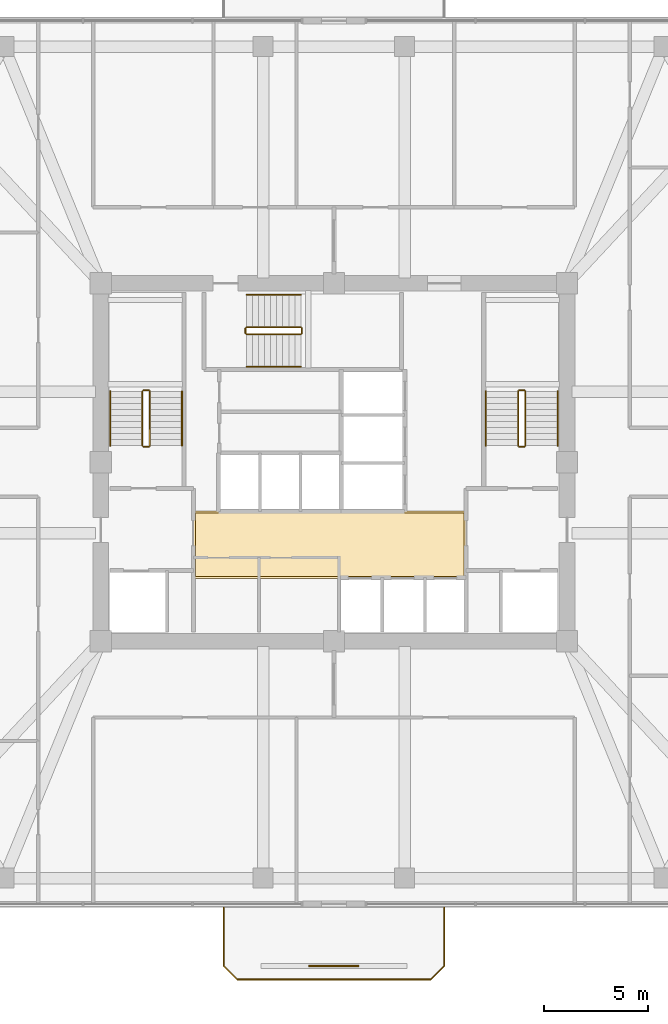
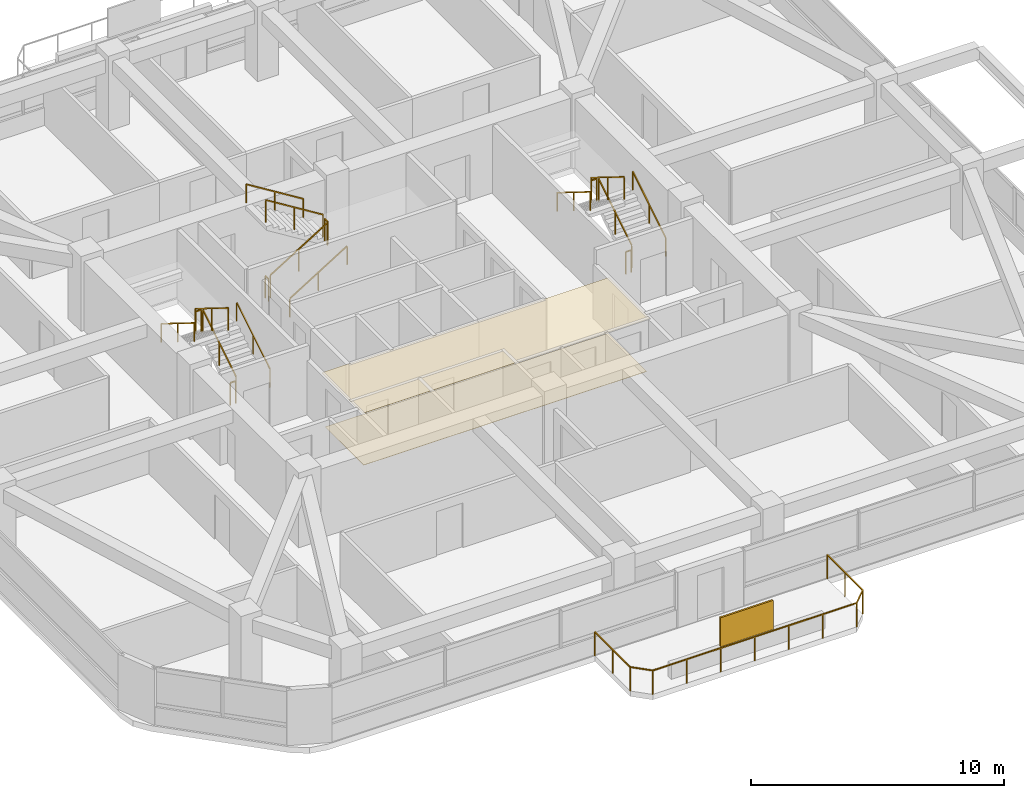
# One storey, part 10 of 11: 19 railings, 2 coverings, 1 shading device.
"""IFC4 building model written with IfcOpenShell, lengths in metres."""

from ifc_helpers import new_model, si_unit, derived_unit, direction, frame, origin, origin_2d, place, context, subcontext, project, spatial, polyline, rectangle, outline, extrude, material, layer, layer_set, type_object, element, save


model = new_model("IFC4")

# Units and contexts
model_context = context("Model", 3, precision=1e-05, world=origin(), true_north=direction((0.0, 1.0)))
body_context = subcontext(model_context, "Body", "Model", "MODEL_VIEW")
ifc_project = project(units=[si_unit("LENGTHUNIT", "METRE"), si_unit("AREAUNIT", "SQUARE_METRE"), si_unit("VOLUMEUNIT", "CUBIC_METRE"), si_unit("PLANEANGLEUNIT", "RADIAN"), si_unit("MASSUNIT", "GRAM", prefix="KILO"), derived_unit("THERMALTRANSMITTANCEUNIT", [(si_unit("POWERUNIT", "WATT"), 1), (si_unit("LENGTHUNIT", "METRE"), -2), (si_unit("THERMODYNAMICTEMPERATUREUNIT", "KELVIN"), -1)])], contexts=[model_context])

# Site, building, storey
site_placement = place(None, origin())
site = spatial("IfcSite", under=ifc_project, at=site_placement, CompositionType="ELEMENT")
building_placement = place(site_placement, origin())
building = spatial("IfcBuilding", under=site, at=building_placement, Name="Koralith Skygarden Medical Center", CompositionType="ELEMENT")
storey_placement = place(building_placement, frame((0.0, 0.0, 167.219970703125)))
storey = spatial("IfcBuildingStorey", under=building, at=storey_placement, Name="L43", CompositionType="ELEMENT", Elevation=167.219970703125)

# Covering
ifc_material_1 = material(Name="Acoustic Mineral Tile")
ifc_layer_1 = layer(ifc_material_1, 0.02001953125)
ifc_layer_set_1 = layer_set([ifc_layer_1], Name="Acoustic Mineral Tile")
covering_type_1 = type_object("IfcCoveringType", Name="Acoustic Hygienic Mineral Ceiling 20", PredefinedType="CEILING", material=ifc_layer_set_1)
covering_1_placement = place(storey_placement, frame((0.0, 0.0, 2.5849609375)))
element("IfcCovering", 1, at=covering_1_placement, inside=storey, type_object=covering_type_1, Name="L43 Core Lobby Acoustic Ceiling", PredefinedType="CEILING", context=body_context, shape_type="SweptSolid", body=[
    extrude(outline(polyline([(30.25, 20.320068359375), (43.35009765625, 20.320068359375), (43.35009765625, 23.56005859375), (30.25, 23.56005859375), (30.25, 20.320068359375)])), origin(), (0.0, 0.0, 1.0), 0.02001953125),
])

# Railing
ifc_material_2 = material(Name="Steel ASTM A500 Grade C", Category="steel")
railing_type_1 = type_object("IfcRailingType", Name="Outdoor Terrace & Balcony Safety Guardrail 1180", PredefinedType="GUARDRAIL", material=ifc_material_2)
railing_1_placement = place(storey_placement, frame((31.699951171875, 4.5, 0.0)))
element("IfcRailing", 2, at=railing_1_placement, inside=storey, type_object=railing_type_1, Name="L43 S Balcony Perimeter Guardrail", PredefinedType="GUARDRAIL", context=body_context, shape_type="SweptSolid", body=[
    extrude(rectangle(XDim=0.050048828125, YDim=0.050048828125, at=origin_2d()), frame((0.0, -0.001953125, 1.15478515625), z_axis=(0.0, -1.0, 0.0), x_axis=(1.0, 0.0, 0.0)), (0.0, 0.0, 1.0), 2.796142578125),
    extrude(rectangle(XDim=0.050048828125, YDim=0.050048828125, at=origin_2d()), frame((0.00146484375, -2.801513671875, 1.15478515625), z_axis=(0.707239558722, -0.706973978714, 0.0), x_axis=(0.706973978714, 0.707239558722, 0.0)), (0.0, 0.0, 1.0), 0.915283203125),
    extrude(rectangle(XDim=0.050048828125, YDim=0.050048828125, at=origin_2d()), frame((0.652099609375, -3.449951171875, 1.15478515625), z_axis=(1.0, 0.0, 0.0), x_axis=(0.0, 1.0, 0.0)), (0.0, 0.0, 1.0), 9.2958984375),
    extrude(rectangle(XDim=0.050048828125, YDim=0.050048828125, at=origin_2d()), frame((9.951416015625, -3.448486328125, 1.15478515625), z_axis=(0.707239558722, 0.706973978714, 0.0), x_axis=(-0.706973978714, 0.707239558722, 0.0)), (0.0, 0.0, 1.0), 0.915283203125),
    extrude(rectangle(XDim=0.050048828125, YDim=0.050048828125, at=origin_2d()), frame((10.60009765625, -2.798095703125, 1.15478515625), z_axis=(0.0, 1.0, 0.0), x_axis=(-1.0, 0.0, 0.0)), (0.0, 0.0, 1.0), 2.796142578125),
    extrude(rectangle(XDim=0.0419921875, YDim=0.0419921875, at=origin_2d()), origin(), (0.0, 0.0, 1.0), 1.1279296875),
    extrude(rectangle(XDim=0.0419921875, YDim=0.0419921875, at=origin_2d()), frame((0.0, -1.39990234375, 0.0)), (0.0, 0.0, 1.0), 1.1279296875),
    extrude(rectangle(XDim=0.0419921875, YDim=0.0419921875, at=origin_2d()), frame((0.0, -2.800048828125, 0.0)), (0.0, 0.0, 1.0), 1.1279296875),
    extrude(rectangle(XDim=0.0419921875, YDim=0.0419921875, at=origin_2d()), frame((0.650146484375, -3.449951171875, 0.0)), (0.0, 0.0, 1.0), 1.1279296875),
    extrude(rectangle(XDim=0.0419921875, YDim=0.0419921875, at=origin_2d()), frame((2.2001953125, -3.449951171875, 0.0)), (0.0, 0.0, 1.0), 1.1279296875),
    extrude(rectangle(XDim=0.0419921875, YDim=0.0419921875, at=origin_2d()), frame((3.75, -3.449951171875, 0.0)), (0.0, 0.0, 1.0), 1.1279296875),
    extrude(rectangle(XDim=0.0419921875, YDim=0.0419921875, at=origin_2d()), frame((5.300048828125, -3.449951171875, 0.0)), (0.0, 0.0, 1.0), 1.1279296875),
    extrude(rectangle(XDim=0.0419921875, YDim=0.0419921875, at=origin_2d()), frame((6.85009765625, -3.449951171875, 0.0)), (0.0, 0.0, 1.0), 1.1279296875),
    extrude(rectangle(XDim=0.0419921875, YDim=0.0419921875, at=origin_2d()), frame((8.39990234375, -3.449951171875, 0.0)), (0.0, 0.0, 1.0), 1.1279296875),
    extrude(rectangle(XDim=0.0419921875, YDim=0.0419921875, at=origin_2d()), frame((9.949951171875, -3.449951171875, 0.0)), (0.0, 0.0, 1.0), 1.1279296875),
    extrude(rectangle(XDim=0.0419921875, YDim=0.0419921875, at=origin_2d()), frame((10.60009765625, -2.800048828125, 0.0)), (0.0, 0.0, 1.0), 1.1279296875),
    extrude(rectangle(XDim=0.0419921875, YDim=0.0419921875, at=origin_2d()), frame((10.60009765625, -1.39990234375, 0.0)), (0.0, 0.0, 1.0), 1.1279296875),
    extrude(rectangle(XDim=0.0419921875, YDim=0.0419921875, at=origin_2d()), frame((10.60009765625, 0.0, 0.0)), (0.0, 0.0, 1.0), 1.1279296875),
])

# Shading device
ifc_material_3 = material(Name="Aluminium 6063-T6", Category="aluminium")
ifc_layer_2 = layer(ifc_material_3, 0.080078125)
ifc_layer_set_2 = layer_set([ifc_layer_2], Name="Aluminium 6063-T6")
shading_device_type = type_object("IfcShadingDeviceType", Name="Perforated Biophilic Balcony Trellis Screen", PredefinedType="USERDEFINED", material=ifc_layer_set_2)
shading_device_placement = place(storey_placement, frame((37.0, 1.699951171875, 0.719970703125), z_axis=(0.0, 0.0, 1.0), x_axis=(1.0, 0.0, 0.0)))
element("IfcShadingDevice", 3, at=shading_device_placement, inside=storey, type_object=shading_device_type, Name="L43 S Biophilic Balcony Trellis Screen", ObjectType="HURRICANE SCREEN", PredefinedType="USERDEFINED", context=body_context, shape_type="SweptSolid", body=[
    extrude(rectangle(XDim=2.39990234375, YDim=0.080078125, at=origin_2d()), origin(), (0.0, 0.0, 1.0), 1.39990234375),
])

# Covering
ifc_material_4 = material(Name="Medical Terrazzo Flooring")
ifc_layer_3 = layer(ifc_material_4, 0.014892578125)
ifc_layer_set_3 = layer_set([ifc_layer_3], Name="Medical Terrazzo Flooring")
covering_type_2 = type_object("IfcCoveringType", Name="Seamless Antimicrobial Terrazzo Flooring 15", PredefinedType="FLOORING", material=ifc_layer_set_3)
covering_2_placement = place(storey_placement, origin())
element("IfcCovering", 4, at=covering_2_placement, inside=storey, type_object=covering_type_2, Name="L43 Core Lobby Terrazzo Flooring", PredefinedType="FLOORING", context=body_context, shape_type="SweptSolid", body=[
    extrude(outline(polyline([(30.35009765625, 20.419921875), (43.25, 20.419921875), (43.25, 23.4599609375), (30.35009765625, 23.4599609375), (30.35009765625, 20.419921875)])), origin(), (0.0, 0.0, 1.0), 0.01513671875),
])

# Railings
railing_type_2 = type_object("IfcRailingType", Name="Stair Flight Tubular Handrail 920", PredefinedType="HANDRAIL", material=ifc_material_2)
railing_2_placement = place(storey_placement, frame((29.699951171875, 26.699951171875, 0.179931640625)))
element("IfcRailing", 5, at=railing_2_placement, inside=storey, type_object=railing_type_2, Name="L43 ST1 stair handrail 1", PredefinedType="HANDRAIL", context=body_context, shape_type="SweptSolid", body=[
    extrude(rectangle(XDim=0.050048828125, YDim=0.050048828125, at=origin_2d()), frame((0.0, 0.001708984375, 0.89599609375), z_axis=(0.0, 0.849632798774, 0.527374731332), x_axis=(-1.0, 0.0, 0.0)), (0.0, 0.0, 1.0), 3.068115234375),
    extrude(rectangle(XDim=0.0419921875, YDim=0.0419921875, at=origin_2d()), origin(), (0.0, 0.0, 1.0), 0.867919921875),
    extrude(rectangle(XDim=0.0419921875, YDim=0.0419921875, at=origin_2d()), frame((0.0, 1.30517578125, 0.81005859375)), (0.0, 0.0, 1.0), 0.867919921875),
    extrude(rectangle(XDim=0.0419921875, YDim=0.0419921875, at=origin_2d()), frame((0.0, 2.610107421875, 1.6201171875)), (0.0, 0.0, 1.0), 0.867919921875),
])
railing_3_placement = place(storey_placement, frame((26.25, 29.31005859375, 1.97998046875)))
element("IfcRailing", 6, at=railing_3_placement, inside=storey, type_object=railing_type_2, Name="L43 ST1 stair handrail 2", PredefinedType="HANDRAIL", context=body_context, shape_type="SweptSolid", body=[
    extrude(rectangle(XDim=0.050048828125, YDim=0.050048828125, at=origin_2d()), frame((0.0, -0.001708984375, 0.89599609375), z_axis=(0.0, -0.849632798774, 0.527374731332), x_axis=(1.0, 0.0, 0.0)), (0.0, 0.0, 1.0), 3.068115234375),
    extrude(rectangle(XDim=0.0419921875, YDim=0.0419921875, at=origin_2d()), origin(), (0.0, 0.0, 1.0), 0.867919921875),
    extrude(rectangle(XDim=0.0419921875, YDim=0.0419921875, at=origin_2d()), frame((0.0, -1.30517578125, 0.81005859375)), (0.0, 0.0, 1.0), 0.867919921875),
    extrude(rectangle(XDim=0.0419921875, YDim=0.0419921875, at=origin_2d()), frame((0.0, -2.610107421875, 1.6201171875)), (0.0, 0.0, 1.0), 0.867919921875),
])
railing_4_placement = place(storey_placement, frame((47.75, 26.699951171875, 0.179931640625)))
element("IfcRailing", 7, at=railing_4_placement, inside=storey, type_object=railing_type_2, Name="L43 ST2 stair handrail 1", PredefinedType="HANDRAIL", context=body_context, shape_type="SweptSolid", body=[
    extrude(rectangle(XDim=0.050048828125, YDim=0.050048828125, at=origin_2d()), frame((0.0, 0.001708984375, 0.89599609375), z_axis=(0.0, 0.849632798774, 0.527374731332), x_axis=(-1.0, 0.0, 0.0)), (0.0, 0.0, 1.0), 3.068115234375),
    extrude(rectangle(XDim=0.0419921875, YDim=0.0419921875, at=origin_2d()), origin(), (0.0, 0.0, 1.0), 0.867919921875),
    extrude(rectangle(XDim=0.0419921875, YDim=0.0419921875, at=origin_2d()), frame((0.0, 1.30517578125, 0.81005859375)), (0.0, 0.0, 1.0), 0.867919921875),
    extrude(rectangle(XDim=0.0419921875, YDim=0.0419921875, at=origin_2d()), frame((0.0, 2.610107421875, 1.6201171875)), (0.0, 0.0, 1.0), 0.867919921875),
])
railing_5_placement = place(storey_placement, frame((44.300048828125, 29.31005859375, 1.97998046875)))
element("IfcRailing", 8, at=railing_5_placement, inside=storey, type_object=railing_type_2, Name="L43 ST2 stair handrail 2", PredefinedType="HANDRAIL", context=body_context, shape_type="SweptSolid", body=[
    extrude(rectangle(XDim=0.050048828125, YDim=0.050048828125, at=origin_2d()), frame((0.0, -0.001708984375, 0.89599609375), z_axis=(0.0, -0.849632798774, 0.527374731332), x_axis=(1.0, 0.0, 0.0)), (0.0, 0.0, 1.0), 3.068115234375),
    extrude(rectangle(XDim=0.0419921875, YDim=0.0419921875, at=origin_2d()), origin(), (0.0, 0.0, 1.0), 0.867919921875),
    extrude(rectangle(XDim=0.0419921875, YDim=0.0419921875, at=origin_2d()), frame((0.0, -1.30517578125, 0.81005859375)), (0.0, 0.0, 1.0), 0.867919921875),
    extrude(rectangle(XDim=0.0419921875, YDim=0.0419921875, at=origin_2d()), frame((0.0, -2.610107421875, 1.6201171875)), (0.0, 0.0, 1.0), 0.867919921875),
])
railing_6_placement = place(storey_placement, frame((32.800048828125, 30.5, 0.179931640625)))
element("IfcRailing", 9, at=railing_6_placement, inside=storey, type_object=railing_type_2, Name="L43 ST3 stair handrail 1", PredefinedType="HANDRAIL", context=body_context, shape_type="SweptSolid", body=[
    extrude(rectangle(XDim=0.050048828125, YDim=0.050048828125, at=origin_2d()), frame((0.001708984375, 0.0, 0.89599609375), z_axis=(0.849610693518, 0.0, 0.52741034258), x_axis=(0.0, 1.0, 0.0)), (0.0, 0.0, 1.0), 3.06787109375),
    extrude(rectangle(XDim=0.0419921875, YDim=0.0419921875, at=origin_2d()), origin(), (0.0, 0.0, 1.0), 0.867919921875),
    extrude(rectangle(XDim=0.0419921875, YDim=0.0419921875, at=origin_2d()), frame((1.304931640625, 0.0, 0.81005859375)), (0.0, 0.0, 1.0), 0.867919921875),
    extrude(rectangle(XDim=0.0419921875, YDim=0.0419921875, at=origin_2d()), frame((2.60986328125, 0.0, 1.6201171875)), (0.0, 0.0, 1.0), 0.867919921875),
])
railing_7_placement = place(storey_placement, frame((35.409912109375, 33.949951171875, 1.97998046875)))
element("IfcRailing", 10, at=railing_7_placement, inside=storey, type_object=railing_type_2, Name="L43 ST3 stair handrail 2", PredefinedType="HANDRAIL", context=body_context, shape_type="SweptSolid", body=[
    extrude(rectangle(XDim=0.050048828125, YDim=0.050048828125, at=origin_2d()), frame((-0.001708984375, 0.0, 0.89599609375), z_axis=(-0.849610693518, 0.0, 0.52741034258), x_axis=(0.0, -1.0, 0.0)), (0.0, 0.0, 1.0), 3.06787109375),
    extrude(rectangle(XDim=0.0419921875, YDim=0.0419921875, at=origin_2d()), origin(), (0.0, 0.0, 1.0), 0.867919921875),
    extrude(rectangle(XDim=0.0419921875, YDim=0.0419921875, at=origin_2d()), frame((-1.304931640625, 0.0, 0.81005859375)), (0.0, 0.0, 1.0), 0.867919921875),
    extrude(rectangle(XDim=0.0419921875, YDim=0.0419921875, at=origin_2d()), frame((-2.60986328125, 0.0, 1.6201171875)), (0.0, 0.0, 1.0), 0.867919921875),
])
railing_type_3 = type_object("IfcRailingType", Name="Stair Well Safety Guardrail 1100", PredefinedType="GUARDRAIL", material=ifc_material_2)
railing_8_placement = place(storey_placement, frame((28.14990234375, 26.699951171875, 0.179931640625)))
element("IfcRailing", 11, at=railing_8_placement, inside=storey, type_object=railing_type_3, Name="L43 ST1 stair guard 1", PredefinedType="GUARDRAIL", context=body_context, shape_type="SweptSolid", body=[
    extrude(rectangle(XDim=0.050048828125, YDim=0.050048828125, at=origin_2d()), frame((0.0, 0.001708984375, 1.076171875), z_axis=(0.0, 0.849632798774, 0.527374731332), x_axis=(-1.0, 0.0, 0.0)), (0.0, 0.0, 1.0), 3.068115234375),
    extrude(rectangle(XDim=0.0419921875, YDim=0.0419921875, at=origin_2d()), origin(), (0.0, 0.0, 1.0), 1.048095703125),
    extrude(rectangle(XDim=0.0419921875, YDim=0.0419921875, at=origin_2d()), frame((0.0, 1.30517578125, 0.81005859375)), (0.0, 0.0, 1.0), 1.048095703125),
    extrude(rectangle(XDim=0.0419921875, YDim=0.0419921875, at=origin_2d()), frame((0.0, 2.610107421875, 1.6201171875)), (0.0, 0.0, 1.0), 1.048095703125),
])
railing_9_placement = place(storey_placement, frame((28.10009765625, 29.360107421875, 1.800048828125)))
element("IfcRailing", 12, at=railing_9_placement, inside=storey, type_object=railing_type_3, Name="L43 ST1 stair guard 2", PredefinedType="GUARDRAIL", context=body_context, shape_type="SweptSolid", body=[
    extrude(rectangle(XDim=0.050048828125, YDim=0.050048828125, at=origin_2d()), frame((-0.001953125, 0.0, 1.0751953125), z_axis=(-1.0, 0.0, 0.0), x_axis=(0.0, -1.0, 0.0)), (0.0, 0.0, 1.0), 0.24609375),
    extrude(rectangle(XDim=0.0419921875, YDim=0.0419921875, at=origin_2d()), origin(), (0.0, 0.0, 1.0), 1.048095703125),
    extrude(rectangle(XDim=0.0419921875, YDim=0.0419921875, at=origin_2d()), frame((-0.25, 0.0, 0.0)), (0.0, 0.0, 1.0), 1.048095703125),
])
railing_10_placement = place(storey_placement, frame((27.800048828125, 29.31005859375, 1.97998046875)))
element("IfcRailing", 13, at=railing_10_placement, inside=storey, type_object=railing_type_3, Name="L43 ST1 stair guard 3", PredefinedType="GUARDRAIL", context=body_context, shape_type="SweptSolid", body=[
    extrude(rectangle(XDim=0.050048828125, YDim=0.050048828125, at=origin_2d()), frame((0.0, -0.001708984375, 1.076171875), z_axis=(0.0, -0.849632798774, 0.527374731332), x_axis=(1.0, 0.0, 0.0)), (0.0, 0.0, 1.0), 3.068115234375),
    extrude(rectangle(XDim=0.0419921875, YDim=0.0419921875, at=origin_2d()), origin(), (0.0, 0.0, 1.0), 1.048095703125),
    extrude(rectangle(XDim=0.0419921875, YDim=0.0419921875, at=origin_2d()), frame((0.0, -1.30517578125, 0.81005859375)), (0.0, 0.0, 1.0), 1.048095703125),
    extrude(rectangle(XDim=0.0419921875, YDim=0.0419921875, at=origin_2d()), frame((0.0, -2.610107421875, 1.6201171875)), (0.0, 0.0, 1.0), 1.048095703125),
])
railing_11_placement = place(storey_placement, frame((28.10009765625, 26.64990234375, 0.0)))
element("IfcRailing", 14, at=railing_11_placement, inside=storey, type_object=railing_type_3, Name="L43 ST1 stair guard 4", PredefinedType="GUARDRAIL", context=body_context, shape_type="SweptSolid", body=[
    extrude(rectangle(XDim=0.050048828125, YDim=0.050048828125, at=origin_2d()), frame((-0.001953125, 0.0, 1.0751953125), z_axis=(-1.0, 0.0, 0.0), x_axis=(0.0, -1.0, 0.0)), (0.0, 0.0, 1.0), 0.24609375),
    extrude(rectangle(XDim=0.0419921875, YDim=0.0419921875, at=origin_2d()), origin(), (0.0, 0.0, 1.0), 1.048095703125),
    extrude(rectangle(XDim=0.0419921875, YDim=0.0419921875, at=origin_2d()), frame((-0.25, 0.0, 0.0)), (0.0, 0.0, 1.0), 1.048095703125),
])
railing_12_placement = place(storey_placement, frame((46.199951171875, 26.699951171875, 0.179931640625)))
element("IfcRailing", 15, at=railing_12_placement, inside=storey, type_object=railing_type_3, Name="L43 ST2 stair guard 1", PredefinedType="GUARDRAIL", context=body_context, shape_type="SweptSolid", body=[
    extrude(rectangle(XDim=0.050048828125, YDim=0.050048828125, at=origin_2d()), frame((0.0, 0.001708984375, 1.076171875), z_axis=(0.0, 0.849632798774, 0.527374731332), x_axis=(-1.0, 0.0, 0.0)), (0.0, 0.0, 1.0), 3.068115234375),
    extrude(rectangle(XDim=0.0419921875, YDim=0.0419921875, at=origin_2d()), origin(), (0.0, 0.0, 1.0), 1.048095703125),
    extrude(rectangle(XDim=0.0419921875, YDim=0.0419921875, at=origin_2d()), frame((0.0, 1.30517578125, 0.81005859375)), (0.0, 0.0, 1.0), 1.048095703125),
    extrude(rectangle(XDim=0.0419921875, YDim=0.0419921875, at=origin_2d()), frame((0.0, 2.610107421875, 1.6201171875)), (0.0, 0.0, 1.0), 1.048095703125),
])
railing_13_placement = place(storey_placement, frame((46.14990234375, 29.360107421875, 1.800048828125)))
element("IfcRailing", 16, at=railing_13_placement, inside=storey, type_object=railing_type_3, Name="L43 ST2 stair guard 2", PredefinedType="GUARDRAIL", context=body_context, shape_type="SweptSolid", body=[
    extrude(rectangle(XDim=0.050048828125, YDim=0.050048828125, at=origin_2d()), frame((-0.001953125, 0.0, 1.0751953125), z_axis=(-1.0, 0.0, 0.0), x_axis=(0.0, -1.0, 0.0)), (0.0, 0.0, 1.0), 0.24609375),
    extrude(rectangle(XDim=0.0419921875, YDim=0.0419921875, at=origin_2d()), origin(), (0.0, 0.0, 1.0), 1.048095703125),
    extrude(rectangle(XDim=0.0419921875, YDim=0.0419921875, at=origin_2d()), frame((-0.25, 0.0, 0.0)), (0.0, 0.0, 1.0), 1.048095703125),
])
railing_14_placement = place(storey_placement, frame((45.85009765625, 29.31005859375, 1.97998046875)))
element("IfcRailing", 17, at=railing_14_placement, inside=storey, type_object=railing_type_3, Name="L43 ST2 stair guard 3", PredefinedType="GUARDRAIL", context=body_context, shape_type="SweptSolid", body=[
    extrude(rectangle(XDim=0.050048828125, YDim=0.050048828125, at=origin_2d()), frame((0.0, -0.001708984375, 1.076171875), z_axis=(0.0, -0.849632798774, 0.527374731332), x_axis=(1.0, 0.0, 0.0)), (0.0, 0.0, 1.0), 3.068115234375),
    extrude(rectangle(XDim=0.0419921875, YDim=0.0419921875, at=origin_2d()), origin(), (0.0, 0.0, 1.0), 1.048095703125),
    extrude(rectangle(XDim=0.0419921875, YDim=0.0419921875, at=origin_2d()), frame((0.0, -1.30517578125, 0.81005859375)), (0.0, 0.0, 1.0), 1.048095703125),
    extrude(rectangle(XDim=0.0419921875, YDim=0.0419921875, at=origin_2d()), frame((0.0, -2.610107421875, 1.6201171875)), (0.0, 0.0, 1.0), 1.048095703125),
])
railing_15_placement = place(storey_placement, frame((46.14990234375, 26.64990234375, 0.0)))
element("IfcRailing", 18, at=railing_15_placement, inside=storey, type_object=railing_type_3, Name="L43 ST2 stair guard 4", PredefinedType="GUARDRAIL", context=body_context, shape_type="SweptSolid", body=[
    extrude(rectangle(XDim=0.050048828125, YDim=0.050048828125, at=origin_2d()), frame((-0.001953125, 0.0, 1.0751953125), z_axis=(-1.0, 0.0, 0.0), x_axis=(0.0, -1.0, 0.0)), (0.0, 0.0, 1.0), 0.24609375),
    extrude(rectangle(XDim=0.0419921875, YDim=0.0419921875, at=origin_2d()), origin(), (0.0, 0.0, 1.0), 1.048095703125),
    extrude(rectangle(XDim=0.0419921875, YDim=0.0419921875, at=origin_2d()), frame((-0.25, 0.0, 0.0)), (0.0, 0.0, 1.0), 1.048095703125),
])
railing_16_placement = place(storey_placement, frame((32.800048828125, 32.050048828125, 0.179931640625)))
element("IfcRailing", 19, at=railing_16_placement, inside=storey, type_object=railing_type_3, Name="L43 ST3 stair guard 1", PredefinedType="GUARDRAIL", context=body_context, shape_type="SweptSolid", body=[
    extrude(rectangle(XDim=0.050048828125, YDim=0.050048828125, at=origin_2d()), frame((0.001708984375, 0.0, 1.076171875), z_axis=(0.849610693518, 0.0, 0.52741034258), x_axis=(0.0, 1.0, 0.0)), (0.0, 0.0, 1.0), 3.06787109375),
    extrude(rectangle(XDim=0.0419921875, YDim=0.0419921875, at=origin_2d()), origin(), (0.0, 0.0, 1.0), 1.048095703125),
    extrude(rectangle(XDim=0.0419921875, YDim=0.0419921875, at=origin_2d()), frame((1.304931640625, 0.0, 0.81005859375)), (0.0, 0.0, 1.0), 1.048095703125),
    extrude(rectangle(XDim=0.0419921875, YDim=0.0419921875, at=origin_2d()), frame((2.60986328125, 0.0, 1.6201171875)), (0.0, 0.0, 1.0), 1.048095703125),
])
railing_17_placement = place(storey_placement, frame((35.4599609375, 32.10009765625, 1.800048828125)))
element("IfcRailing", 20, at=railing_17_placement, inside=storey, type_object=railing_type_3, Name="L43 ST3 stair guard 2", PredefinedType="GUARDRAIL", context=body_context, shape_type="SweptSolid", body=[
    extrude(rectangle(XDim=0.050048828125, YDim=0.050048828125, at=origin_2d()), frame((0.0, 0.001953125, 1.0751953125), z_axis=(0.0, 1.0, 0.0), x_axis=(-1.0, 0.0, 0.0)), (0.0, 0.0, 1.0), 0.24609375),
    extrude(rectangle(XDim=0.0419921875, YDim=0.0419921875, at=origin_2d()), origin(), (0.0, 0.0, 1.0), 1.048095703125),
    extrude(rectangle(XDim=0.0419921875, YDim=0.0419921875, at=origin_2d()), frame((0.0, 0.25, 0.0)), (0.0, 0.0, 1.0), 1.048095703125),
])
railing_18_placement = place(storey_placement, frame((35.409912109375, 32.39990234375, 1.97998046875)))
element("IfcRailing", 21, at=railing_18_placement, inside=storey, type_object=railing_type_3, Name="L43 ST3 stair guard 3", PredefinedType="GUARDRAIL", context=body_context, shape_type="SweptSolid", body=[
    extrude(rectangle(XDim=0.050048828125, YDim=0.050048828125, at=origin_2d()), frame((-0.001708984375, 0.0, 1.076171875), z_axis=(-0.849610693518, 0.0, 0.52741034258), x_axis=(0.0, -1.0, 0.0)), (0.0, 0.0, 1.0), 3.06787109375),
    extrude(rectangle(XDim=0.0419921875, YDim=0.0419921875, at=origin_2d()), origin(), (0.0, 0.0, 1.0), 1.048095703125),
    extrude(rectangle(XDim=0.0419921875, YDim=0.0419921875, at=origin_2d()), frame((-1.304931640625, 0.0, 0.81005859375)), (0.0, 0.0, 1.0), 1.048095703125),
    extrude(rectangle(XDim=0.0419921875, YDim=0.0419921875, at=origin_2d()), frame((-2.60986328125, 0.0, 1.6201171875)), (0.0, 0.0, 1.0), 1.048095703125),
])
railing_19_placement = place(storey_placement, frame((32.75, 32.10009765625, 0.0)))
element("IfcRailing", 22, at=railing_19_placement, inside=storey, type_object=railing_type_3, Name="L43 ST3 stair guard 4", PredefinedType="GUARDRAIL", context=body_context, shape_type="SweptSolid", body=[
    extrude(rectangle(XDim=0.050048828125, YDim=0.050048828125, at=origin_2d()), frame((0.0, 0.001953125, 1.0751953125), z_axis=(0.0, 1.0, 0.0), x_axis=(-1.0, 0.0, 0.0)), (0.0, 0.0, 1.0), 0.24609375),
    extrude(rectangle(XDim=0.0419921875, YDim=0.0419921875, at=origin_2d()), origin(), (0.0, 0.0, 1.0), 1.048095703125),
    extrude(rectangle(XDim=0.0419921875, YDim=0.0419921875, at=origin_2d()), frame((0.0, 0.25, 0.0)), (0.0, 0.0, 1.0), 1.048095703125),
])

save(model, "model.ifc")
